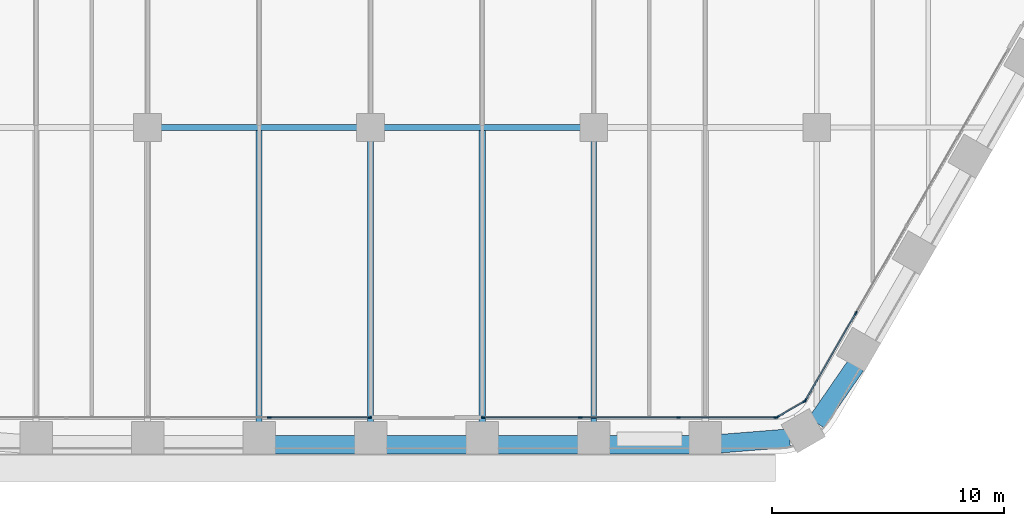
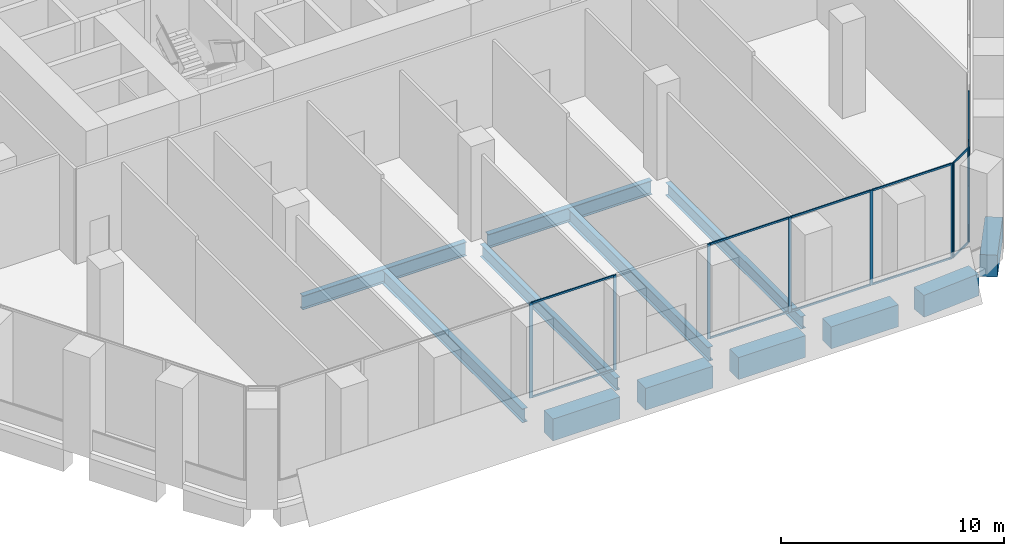
# One storey, part 4 of 27: 22 members, 12 beams, 4 elements without a shape of their own.
"""IFC4 building model written with IfcOpenShell, lengths in metres."""

from ifc_helpers import new_model, si_unit, direction, frame, origin, origin_2d, place, context, subcontext, project, spatial, rectangle, i_section, extrude, material, material_profile, profile_set, type_object, element, aggregate, save


model = new_model("IFC4")

# Units and contexts
model_context = context("Model", 3, precision=1e-05, world=origin(), true_north=direction((0.0, 1.0)))
body_context = subcontext(model_context, "Body", "Model", "MODEL_VIEW")
ifc_project = project(units=[si_unit("LENGTHUNIT", "METRE"), si_unit("AREAUNIT", "SQUARE_METRE"), si_unit("VOLUMEUNIT", "CUBIC_METRE"), si_unit("PLANEANGLEUNIT", "RADIAN"), si_unit("MASSUNIT", "GRAM", prefix="KILO")], contexts=[model_context])

# Site, building, storey
site_placement = place(None, origin())
site = spatial("IfcSite", under=ifc_project, at=site_placement, CompositionType="ELEMENT")
building_placement = place(site_placement, origin())
building = spatial("IfcBuilding", under=site, at=building_placement, Name="Kolab Exchange Tower", CompositionType="ELEMENT")
storey_placement = place(building_placement, frame((0.0, 0.0, 66.39990234375)))
storey = spatial("IfcBuildingStorey", under=building, at=storey_placement, Name="L12", CompositionType="ELEMENT", Elevation=66.39990234375)

# Beams
ifc_material_1 = material(Name="Steel S355", Category="steel")
ifc_material_profile_1 = material_profile(ifc_material_1, i_section(OverallWidth=0.25390625, OverallDepth=0.68408203125, WebThickness=0.012451171875, FlangeThickness=0.018798828125, at=origin_2d()), Name="W690X140")
ifc_profile_set_1 = profile_set([ifc_material_profile_1], Name="Steel S355")
beam_type_1 = type_object("IfcBeamType", Name="FLOOR BEAM W690X140", PredefinedType="BEAM", material=ifc_profile_set_1)
for number, where, z_axis, x_axis, name in (
    (1, (0.0, -31.8955078125, -0.641845703125), (0.0, 1.0, 0.0), (-1.0, 0.0, 0.0), "beam/L12/fr/030"),
    (2, (9.60009765625, -31.8955078125, -0.641845703125), (0.0, 1.0, 0.0), (-1.0, 0.0, 0.0), "beam/L12/fr/038"),
):
    element("IfcBeam", number, at=place(storey_placement, frame(where, z_axis=z_axis, x_axis=x_axis)), inside=storey, type_object=beam_type_1, Name=name, PredefinedType="BEAM", context=body_context, shape_type="SweptSolid", body=[
        extrude(i_section(OverallWidth=0.25390625, OverallDepth=0.68408203125, WebThickness=0.012451171875, FlangeThickness=0.018798828125, at=origin_2d()), origin(), (0.0, 0.0, 1.0), 12.135498046875),
    ])
ifc_material_profile_2 = material_profile(ifc_material_1, i_section(OverallWidth=0.26708984375, OverallDepth=0.761962890625, WebThickness=0.014404296875, FlangeThickness=0.021484375, at=origin_2d()), Name="W760X173")
ifc_profile_set_2 = profile_set([ifc_material_profile_2], Name="Steel S355")
beam_type_2 = type_object("IfcBeamType", Name="FLOOR BEAM W760X173", PredefinedType="BEAM", material=ifc_profile_set_2)
for number, where, z_axis, x_axis, name in (
    (3, (-4.800048828125, -31.8955078125, -0.680908203125), (0.0, 1.0, 0.0), (-1.0, 0.0, 0.0), "beam/L12/fr/026"),
    (4, (4.800048828125, -31.8955078125, -0.680908203125), (0.0, 1.0, 0.0), (-1.0, 0.0, 0.0), "beam/L12/fr/034"),
):
    element("IfcBeam", number, at=place(storey_placement, frame(where, z_axis=z_axis, x_axis=x_axis)), inside=storey, type_object=beam_type_2, Name=name, PredefinedType="BEAM", context=body_context, shape_type="SweptSolid", body=[
        extrude(i_section(OverallWidth=0.26708984375, OverallDepth=0.761962890625, WebThickness=0.014404296875, FlangeThickness=0.021484375, at=origin_2d()), origin(), (0.0, 0.0, 1.0), 12.60205078125),
    ])
ifc_material_profile_3 = material_profile(ifc_material_1, i_section(OverallWidth=0.26708984375, OverallDepth=0.761962890625, WebThickness=0.014404296875, FlangeThickness=0.021484375, at=origin_2d()), Name="W760X173")
ifc_profile_set_3 = profile_set([ifc_material_profile_3], Name="Steel S355")
beam_type_3 = type_object("IfcBeamType", Name="FLOOR GIRDER W760X173", PredefinedType="BEAM", material=ifc_profile_set_3)
for number, where, z_axis, x_axis, name in (
    (5, (-9.0400390625, -19.199951171875, -0.680908203125), (1.0, 0.0, 0.0), (0.0, 1.0, 0.0), "beam/L12/gd/011"),
    (6, (0.56005859375, -19.199951171875, -0.680908203125), (1.0, 0.0, 0.0), (0.0, 1.0, 0.0), "beam/L12/gd/013"),
):
    element("IfcBeam", number, at=place(storey_placement, frame(where, z_axis=z_axis, x_axis=x_axis)), inside=storey, type_object=beam_type_3, Name=name, PredefinedType="BEAM", context=body_context, shape_type="SweptSolid", body=[
        extrude(i_section(OverallWidth=0.26708984375, OverallDepth=0.761962890625, WebThickness=0.014404296875, FlangeThickness=0.021484375, at=origin_2d()), origin(), (0.0, 0.0, 1.0), 8.47998046875),
    ])
ifc_material_2 = material(Name="Concrete C80/95", Category="concrete")
ifc_material_profile_4 = material_profile(ifc_material_2, rectangle(XDim=0.800048828125, YDim=1.199951171875, at=origin_2d()), Name="RC800X1200")
ifc_profile_set_4 = profile_set([ifc_material_profile_4], Name="Concrete C80/95")
beam_type_4 = type_object("IfcBeamType", Name="SPANDREL BEAM 800X1200 C80/95", PredefinedType="BEAM", material=ifc_profile_set_4)
beam_1_placement = place(storey_placement, frame((20.8779296875, -29.44384765625, -0.89990234375), z_axis=(-0.567247290755, -0.823547516013, 0.0), x_axis=(0.823547516013, -0.567247290755, 0.0)))
element("IfcBeam", 7, at=beam_1_placement, inside=storey, type_object=beam_type_4, Name="beam/L12/sp/F3-08", PredefinedType="BEAM", context=body_context, shape_type="SweptSolid", body=[
    extrude(rectangle(XDim=0.800048828125, YDim=1.199951171875, at=origin_2d()), origin(), (0.0, 0.0, 1.0), 2.984375),
])
beam_2_placement = place(storey_placement, frame((18.03515625, -32.5654296875, -0.89990234375), z_axis=(-0.996833978278, -0.07951112973, 0.0), x_axis=(0.07951112973, -0.996833978278, 0.0)))
element("IfcBeam", 8, at=beam_2_placement, inside=storey, type_object=beam_type_4, Name="beam/L12/sp/F4-01", PredefinedType="BEAM", context=body_context, shape_type="SweptSolid", body=[
    extrude(rectangle(XDim=0.800048828125, YDim=1.199951171875, at=origin_2d()), origin(), (0.0, 0.0, 1.0), 2.984619140625),
])
for number, where, z_axis, x_axis, name in (
    (9, (13.739990234375, -32.85546875, -0.89990234375), (-1.0, 0.0, 0.0), (0.0, -1.0, 0.0), "beam/L12/sp/F4-02"),
    (10, (8.93994140625, -32.85546875, -0.89990234375), (-1.0, 0.0, 0.0), (0.0, -1.0, 0.0), "beam/L12/sp/F4-03"),
    (11, (4.139892578125, -32.85546875, -0.89990234375), (-1.0, 0.0, 0.0), (0.0, -1.0, 0.0), "beam/L12/sp/F4-04"),
    (12, (-0.659912109375, -32.85546875, -0.89990234375), (-1.0, 0.0, 0.0), (0.0, -1.0, 0.0), "beam/L12/sp/F4-05"),
):
    element("IfcBeam", number, at=place(storey_placement, frame(where, z_axis=z_axis, x_axis=x_axis)), inside=storey, type_object=beam_type_4, Name=name, PredefinedType="BEAM", context=body_context, shape_type="SweptSolid", body=[
        extrude(rectangle(XDim=0.800048828125, YDim=1.199951171875, at=origin_2d()), origin(), (0.0, 0.0, 1.0), 3.47998046875),
    ])

# Curtain wall, members
ifc_material_3 = material(Name="Aluminium EN AW-6063 T6", Category="aluminium")
curtain_wall_type = type_object("IfcCurtainWallType", Name="UNITISED LOW ZONE CURTAIN WALL", PredefinedType="NOTDEFINED", material=ifc_material_3)
curtain_wall_1_placement = place(storey_placement, origin())
curtain_wall_1 = element("IfcCurtainWall", 13, at=curtain_wall_1_placement, inside=storey, type_object=curtain_wall_type, Name="cw/L12/F3-2", PredefinedType="NOTDEFINED")
ifc_material_profile_5 = material_profile(ifc_material_3, rectangle(XDim=0.06005859375, YDim=0.159912109375, at=origin_2d()), Name="RECT 60X160")
ifc_profile_set_5 = profile_set([ifc_material_profile_5], Name="Aluminium EN AW-6063 T6")
member_type_1 = type_object("IfcMemberType", Name="UNITISED LOW ZONE MULLION 60 X 160", PredefinedType="MULLION", material=ifc_profile_set_5)
member_1_placement = place(storey_placement, frame((20.881103515625, -27.183349609375, 0.0), z_axis=(0.0, 0.0, 1.0), x_axis=(0.866025397318, -0.5000000112, 0.0)))
member_1 = element("IfcMember", 14, at=member_1_placement, type_object=member_type_1, Name="CW1 mullion 4", PredefinedType="MULLION", context=body_context, shape_type="SweptSolid", body=[
    extrude(rectangle(XDim=0.06005859375, YDim=0.159912109375, at=origin_2d()), origin(), (0.0, 0.0, 1.0), 5.2001953125),
])
member_2_placement = place(storey_placement, frame((18.712646484375, -30.939453125, 0.0), z_axis=(0.0, 0.0, 1.0), x_axis=(0.866025397318, -0.5000000112, 0.0)))
member_2 = element("IfcMember", 15, at=member_2_placement, type_object=member_type_1, Name="CW1 mullion 5", PredefinedType="MULLION", context=body_context, shape_type="SweptSolid", body=[
    extrude(rectangle(XDim=0.06005859375, YDim=0.159912109375, at=origin_2d()), origin(), (0.0, 0.0, 1.0), 5.2001953125),
])

curtain_wall_2_placement = place(storey_placement, origin())
curtain_wall_2 = element("IfcCurtainWall", 16, at=curtain_wall_2_placement, inside=storey, type_object=curtain_wall_type, Name="cw/L12/F4-1", PredefinedType="NOTDEFINED")
member_3_placement = place(storey_placement, frame((17.43798828125, -31.67529296875, 0.0), z_axis=(0.0, 0.0, 1.0), x_axis=(0.0, -1.0, 0.0)))
member_3 = element("IfcMember", 17, at=member_3_placement, type_object=member_type_1, Name="CW1 mullion 1", PredefinedType="MULLION", context=body_context, shape_type="SweptSolid", body=[
    extrude(rectangle(XDim=0.06005859375, YDim=0.159912109375, at=origin_2d()), origin(), (0.0, 0.0, 1.0), 5.2001953125),
])
member_4_placement = place(storey_placement, frame((13.245361328125, -31.67529296875, 0.0), z_axis=(0.0, 0.0, 1.0), x_axis=(0.0, -1.0, 0.0)))
member_4 = element("IfcMember", 18, at=member_4_placement, type_object=member_type_1, Name="CW1 mullion 2", PredefinedType="MULLION", context=body_context, shape_type="SweptSolid", body=[
    extrude(rectangle(XDim=0.06005859375, YDim=0.159912109375, at=origin_2d()), origin(), (0.0, 0.0, 1.0), 5.2001953125),
])
member_5_placement = place(storey_placement, frame((9.022705078125, -31.67529296875, 0.0), z_axis=(0.0, 0.0, 1.0), x_axis=(0.0, -1.0, 0.0)))
member_5 = element("IfcMember", 19, at=member_5_placement, type_object=member_type_1, Name="CW1 mullion 3", PredefinedType="MULLION", context=body_context, shape_type="SweptSolid", body=[
    extrude(rectangle(XDim=0.06005859375, YDim=0.159912109375, at=origin_2d()), origin(), (0.0, 0.0, 1.0), 5.2001953125),
])
member_6_placement = place(storey_placement, frame((4.830078125, -31.67529296875, 0.0), z_axis=(0.0, 0.0, 1.0), x_axis=(0.0, -1.0, 0.0)))
member_6 = element("IfcMember", 20, at=member_6_placement, type_object=member_type_1, Name="CW1 mullion 4", PredefinedType="MULLION", context=body_context, shape_type="SweptSolid", body=[
    extrude(rectangle(XDim=0.06005859375, YDim=0.159912109375, at=origin_2d()), origin(), (0.0, 0.0, 1.0), 5.2001953125),
])

curtain_wall_3_placement = place(storey_placement, origin())
curtain_wall_3 = element("IfcCurtainWall", 21, at=curtain_wall_3_placement, inside=storey, type_object=curtain_wall_type, Name="cw/L12/F4-2", PredefinedType="NOTDEFINED")
member_7_placement = place(storey_placement, frame((-0.030029296875, -31.67529296875, 0.0), z_axis=(0.0, 0.0, 1.0), x_axis=(0.0, -1.0, 0.0)))
member_7 = element("IfcMember", 22, at=member_7_placement, type_object=member_type_1, Name="CW1 mullion 1", PredefinedType="MULLION", context=body_context, shape_type="SweptSolid", body=[
    extrude(rectangle(XDim=0.06005859375, YDim=0.159912109375, at=origin_2d()), origin(), (0.0, 0.0, 1.0), 5.2001953125),
])
member_8_placement = place(storey_placement, frame((-4.366943359375, -31.67529296875, 0.0), z_axis=(0.0, 0.0, 1.0), x_axis=(0.0, -1.0, 0.0)))
member_8 = element("IfcMember", 23, at=member_8_placement, type_object=member_type_1, Name="CW1 mullion 2", PredefinedType="MULLION", context=body_context, shape_type="SweptSolid", body=[
    extrude(rectangle(XDim=0.06005859375, YDim=0.159912109375, at=origin_2d()), origin(), (0.0, 0.0, 1.0), 5.2001953125),
])

curtain_wall_4_placement = place(storey_placement, origin())
curtain_wall_4 = element("IfcCurtainWall", 24, at=curtain_wall_4_placement, inside=storey, type_object=curtain_wall_type, Name="cw/L12/F3F4-corner", PredefinedType="NOTDEFINED")
member_9_placement = place(storey_placement, frame((18.671630859375, -30.98046875, 0.0), z_axis=(0.0, 0.0, 1.0), x_axis=(0.50000002237, -0.866025390869, 0.0)))
member_9 = element("IfcMember", 25, at=member_9_placement, type_object=member_type_1, Name="CW1 mullion 1", PredefinedType="MULLION", context=body_context, shape_type="SweptSolid", body=[
    extrude(rectangle(XDim=0.06005859375, YDim=0.159912109375, at=origin_2d()), origin(), (0.0, 0.0, 1.0), 5.2001953125),
])
member_10_placement = place(storey_placement, frame((17.493896484375, -31.660400390625, 0.0), z_axis=(0.0, 0.0, 1.0), x_axis=(0.50000002237, -0.866025390869, 0.0)))
member_10 = element("IfcMember", 26, at=member_10_placement, type_object=member_type_1, Name="CW1 mullion 2", PredefinedType="MULLION", context=body_context, shape_type="SweptSolid", body=[
    extrude(rectangle(XDim=0.06005859375, YDim=0.159912109375, at=origin_2d()), origin(), (0.0, 0.0, 1.0), 5.2001953125),
])

# Member
ifc_material_profile_6 = material_profile(ifc_material_3, rectangle(XDim=0.06005859375, YDim=0.10009765625, at=origin_2d()), Name="RECT 60X100")
ifc_profile_set_6 = profile_set([ifc_material_profile_6], Name="Aluminium EN AW-6063 T6")
member_type_2 = type_object("IfcMemberType", Name="UNITISED LOW ZONE TRANSOM 60 X 100", PredefinedType="USERDEFINED", material=ifc_profile_set_6)
member_11_placement = place(storey_placement, frame((20.8662109375, -27.20947265625, 0.030029296875), z_axis=(-0.500000816281, -0.866024932504, 0.0), x_axis=(0.866024932504, -0.500000816281, 0.0)))
member_11 = element("IfcMember", 27, at=member_11_placement, type_object=member_type_2, Name="CW1 transom 4.1", ObjectType="TRANSOM", PredefinedType="USERDEFINED", context=body_context, shape_type="SweptSolid", body=[
    extrude(rectangle(XDim=0.06005859375, YDim=0.10009765625, at=origin_2d()), origin(), (0.0, 0.0, 1.0), 4.27685546875),
])

member_12_placement = place(storey_placement, frame((20.8662109375, -27.20947265625, 5.170166015625), z_axis=(-0.500000816281, -0.866024932504, 0.0), x_axis=(0.866024932504, -0.500000816281, 0.0)))
member_12 = element("IfcMember", 28, at=member_12_placement, type_object=member_type_2, Name="CW1 transom 4.2", ObjectType="TRANSOM", PredefinedType="USERDEFINED", context=body_context, shape_type="SweptSolid", body=[
    extrude(rectangle(XDim=0.06005859375, YDim=0.10009765625, at=origin_2d()), origin(), (0.0, 0.0, 1.0), 4.27685546875),
])

aggregate(curtain_wall_1, [member_1, member_2, member_11, member_12])

member_13_placement = place(storey_placement, frame((17.407958984375, -31.67529296875, 0.030029296875), z_axis=(-1.0, 0.0, 0.0), x_axis=(0.0, -1.0, 0.0)))
member_13 = element("IfcMember", 29, at=member_13_placement, type_object=member_type_2, Name="CW1 transom 1.1", ObjectType="TRANSOM", PredefinedType="USERDEFINED", context=body_context, shape_type="SweptSolid", body=[
    extrude(rectangle(XDim=0.06005859375, YDim=0.10009765625, at=origin_2d()), origin(), (0.0, 0.0, 1.0), 4.132568359375),
])

member_14_placement = place(storey_placement, frame((17.407958984375, -31.67529296875, 5.170166015625), z_axis=(-1.0, 0.0, 0.0), x_axis=(0.0, -1.0, 0.0)))
member_14 = element("IfcMember", 30, at=member_14_placement, type_object=member_type_2, Name="CW1 transom 1.2", ObjectType="TRANSOM", PredefinedType="USERDEFINED", context=body_context, shape_type="SweptSolid", body=[
    extrude(rectangle(XDim=0.06005859375, YDim=0.10009765625, at=origin_2d()), origin(), (0.0, 0.0, 1.0), 4.132568359375),
])

member_15_placement = place(storey_placement, frame((13.21533203125, -31.67529296875, 0.030029296875), z_axis=(-1.0, 0.0, 0.0), x_axis=(0.0, -1.0, 0.0)))
member_15 = element("IfcMember", 31, at=member_15_placement, type_object=member_type_2, Name="CW1 transom 2.1", ObjectType="TRANSOM", PredefinedType="USERDEFINED", context=body_context, shape_type="SweptSolid", body=[
    extrude(rectangle(XDim=0.06005859375, YDim=0.10009765625, at=origin_2d()), origin(), (0.0, 0.0, 1.0), 4.16259765625),
])

member_16_placement = place(storey_placement, frame((13.21533203125, -31.67529296875, 5.170166015625), z_axis=(-1.0, 0.0, 0.0), x_axis=(0.0, -1.0, 0.0)))
member_16 = element("IfcMember", 32, at=member_16_placement, type_object=member_type_2, Name="CW1 transom 2.2", ObjectType="TRANSOM", PredefinedType="USERDEFINED", context=body_context, shape_type="SweptSolid", body=[
    extrude(rectangle(XDim=0.06005859375, YDim=0.10009765625, at=origin_2d()), origin(), (0.0, 0.0, 1.0), 4.16259765625),
])

member_17_placement = place(storey_placement, frame((8.99267578125, -31.67529296875, 0.030029296875), z_axis=(-1.0, 0.0, 0.0), x_axis=(0.0, -1.0, 0.0)))
member_17 = element("IfcMember", 33, at=member_17_placement, type_object=member_type_2, Name="CW1 transom 3.1", ObjectType="TRANSOM", PredefinedType="USERDEFINED", context=body_context, shape_type="SweptSolid", body=[
    extrude(rectangle(XDim=0.06005859375, YDim=0.10009765625, at=origin_2d()), origin(), (0.0, 0.0, 1.0), 4.132568359375),
])

member_18_placement = place(storey_placement, frame((8.99267578125, -31.67529296875, 5.170166015625), z_axis=(-1.0, 0.0, 0.0), x_axis=(0.0, -1.0, 0.0)))
member_18 = element("IfcMember", 34, at=member_18_placement, type_object=member_type_2, Name="CW1 transom 3.2", ObjectType="TRANSOM", PredefinedType="USERDEFINED", context=body_context, shape_type="SweptSolid", body=[
    extrude(rectangle(XDim=0.06005859375, YDim=0.10009765625, at=origin_2d()), origin(), (0.0, 0.0, 1.0), 4.132568359375),
])

aggregate(curtain_wall_2, [member_3, member_4, member_5, member_6, member_13, member_14, member_15, member_16, member_17, member_18])

member_19_placement = place(storey_placement, frame((-0.06005859375, -31.67529296875, 0.030029296875), z_axis=(-1.0, 0.0, 0.0), x_axis=(0.0, -1.0, 0.0)))
member_19 = element("IfcMember", 35, at=member_19_placement, type_object=member_type_2, Name="CW1 transom 1.1", ObjectType="TRANSOM", PredefinedType="USERDEFINED", context=body_context, shape_type="SweptSolid", body=[
    extrude(rectangle(XDim=0.06005859375, YDim=0.10009765625, at=origin_2d()), origin(), (0.0, 0.0, 1.0), 4.27685546875),
])

member_20_placement = place(storey_placement, frame((-0.06005859375, -31.67529296875, 5.170166015625), z_axis=(-1.0, 0.0, 0.0), x_axis=(0.0, -1.0, 0.0)))
member_20 = element("IfcMember", 36, at=member_20_placement, type_object=member_type_2, Name="CW1 transom 1.2", ObjectType="TRANSOM", PredefinedType="USERDEFINED", context=body_context, shape_type="SweptSolid", body=[
    extrude(rectangle(XDim=0.06005859375, YDim=0.10009765625, at=origin_2d()), origin(), (0.0, 0.0, 1.0), 4.27685546875),
])

aggregate(curtain_wall_3, [member_7, member_8, member_19, member_20])

member_21_placement = place(storey_placement, frame((18.645751953125, -30.995361328125, 0.030029296875), z_axis=(-0.86603858612, -0.49997716683, 0.0), x_axis=(0.49997716683, -0.86603858612, 0.0)))
member_21 = element("IfcMember", 37, at=member_21_placement, type_object=member_type_2, Name="CW1 transom 1.1", ObjectType="TRANSOM", PredefinedType="USERDEFINED", context=body_context, shape_type="SweptSolid", body=[
    extrude(rectangle(XDim=0.06005859375, YDim=0.10009765625, at=origin_2d()), origin(), (0.0, 0.0, 1.0), 1.2998046875),
])

member_22_placement = place(storey_placement, frame((18.645751953125, -30.995361328125, 5.170166015625), z_axis=(-0.86603858612, -0.49997716683, 0.0), x_axis=(0.49997716683, -0.86603858612, 0.0)))
member_22 = element("IfcMember", 38, at=member_22_placement, type_object=member_type_2, Name="CW1 transom 1.2", ObjectType="TRANSOM", PredefinedType="USERDEFINED", context=body_context, shape_type="SweptSolid", body=[
    extrude(rectangle(XDim=0.06005859375, YDim=0.10009765625, at=origin_2d()), origin(), (0.0, 0.0, 1.0), 1.2998046875),
])

aggregate(curtain_wall_4, [member_9, member_10, member_21, member_22])

save(model, "model.ifc")
